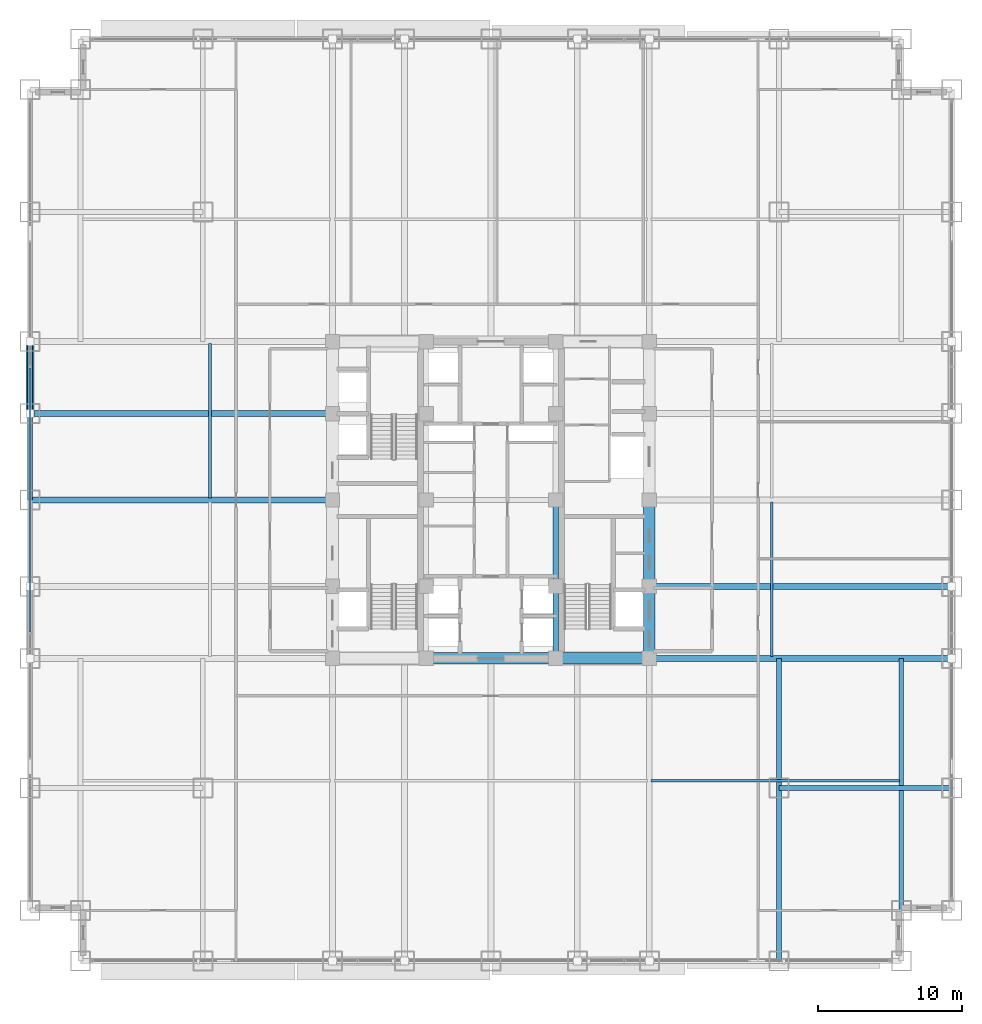
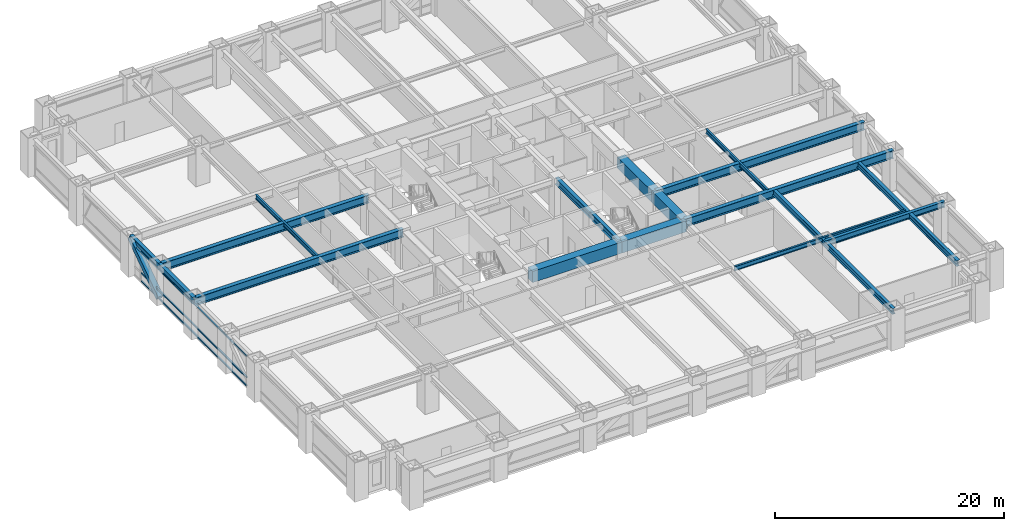
# One storey, part 11 of 31: 18 beams, 4 members, 1 element without a shape of its own.
"""IFC4 building model written with IfcOpenShell, lengths in metres."""

from ifc_helpers import new_model, si_unit, direction, frame, origin, origin_2d, place, context, subcontext, project, spatial, rectangle, hollow_rectangle, i_section, extrude, source, transform, mapped, material, material_profile, profile_set, type_object, element, aggregate, save


model = new_model("IFC4")

# Units and contexts
model_context = context("Model", 3, precision=1e-05, world=origin(), true_north=direction((0.0, 1.0)))
body_context = subcontext(model_context, "Body", "Model", "MODEL_VIEW")
ifc_project = project(units=[si_unit("LENGTHUNIT", "METRE"), si_unit("AREAUNIT", "SQUARE_METRE"), si_unit("VOLUMEUNIT", "CUBIC_METRE"), si_unit("PLANEANGLEUNIT", "RADIAN"), si_unit("MASSUNIT", "GRAM", prefix="KILO")], contexts=[model_context])

# Site, building, storey
site_placement = place(None, origin())
site = spatial("IfcSite", under=ifc_project, at=site_placement, CompositionType="ELEMENT")
building_placement = place(site_placement, origin())
building = spatial("IfcBuilding", under=site, at=building_placement, Name="Khorayat Bourse Tower", CompositionType="ELEMENT")
storey_placement = place(building_placement, frame((0.0, 0.0, 36.800048828125)))
storey = spatial("IfcBuildingStorey", under=building, at=storey_placement, Name="L07", CompositionType="ELEMENT", Elevation=36.800048828125)

# Beams
ifc_material_1 = material(Name="Concrete C72/90", Category="concrete")
ifc_material_profile_1 = material_profile(ifc_material_1, rectangle(XDim=0.800048828125, YDim=1.199951171875, at=origin_2d()), Name="RC 800x1200")
ifc_profile_set_1 = profile_set([ifc_material_profile_1], Name="Concrete C72/90")
beam_type_1 = type_object("IfcBeamType", Name="BM-COUP-1200", PredefinedType="BEAM", material=ifc_profile_set_1)
shared_shape_1 = source(origin(), body_context, "Body", "SweptSolid", [
    extrude(rectangle(XDim=0.800048828125, YDim=1.199951171875, at=origin_2d()), origin(), (0.0, 0.0, 1.0), 5.0),
])
beam_1_placement = place(storey_placement, frame((11.0, -11.0, 3.33984375), z_axis=(0.0, 1.0, 0.0), x_axis=(-1.0, 0.0, 0.0)))
element("IfcBeam", 1, at=beam_1_placement, inside=storey, type_object=beam_type_1, Name="L07 BM-COUP-1200 BM-L07-CRX-13", PredefinedType="BEAM", context=body_context, shape_type="MappedRepresentation", body=[
    mapped(shared_shape_1, transform((0.0, 0.0, 0.0), scale=1.0)),
])
shared_shape_2 = source(origin(), body_context, "Body", "SweptSolid", [
    extrude(rectangle(XDim=0.800048828125, YDim=1.199951171875, at=origin_2d()), origin(), (0.0, 0.0, 1.0), 6.0),
])
beam_2_placement = place(storey_placement, frame((11.0, -6.0, 3.33984375), z_axis=(0.0, 1.0, 0.0), x_axis=(-1.0, 0.0, 0.0)))
element("IfcBeam", 2, at=beam_2_placement, inside=storey, type_object=beam_type_1, Name="L07 BM-COUP-1200 BM-L07-CRX-14", PredefinedType="BEAM", context=body_context, shape_type="MappedRepresentation", body=[
    mapped(shared_shape_2, transform((0.0, 0.0, 0.0), scale=1.0)),
])
ifc_material_2 = material(Name="Steel ASTM A992 Grade 50", Category="steel")
ifc_material_profile_2 = material_profile(ifc_material_2, i_section(OverallWidth=0.35498046875, OverallDepth=0.695068359375, WebThickness=0.015380859375, FlangeThickness=0.02490234375, FilletRadius=0.01806640625, at=origin_2d()), Name="W690X217")
ifc_profile_set_2 = profile_set([ifc_material_profile_2], Name="Steel ASTM A992 Grade 50")
beam_type_2 = type_object("IfcBeamType", Name="BM-GIRD-690", PredefinedType="BEAM", material=ifc_profile_set_2)
shared_shape_3 = source(origin(), body_context, "Body", "SweptSolid", [
    extrude(i_section(OverallWidth=0.35498046875, OverallDepth=0.695068359375, WebThickness=0.015380859375, FlangeThickness=0.02490234375, FilletRadius=0.01806640625, at=origin_2d()), origin(), (0.0, 0.0, 1.0), 5.0),
])
beam_3_placement = place(storey_placement, frame((4.5, -11.0, 3.592529296875), z_axis=(0.0, 1.0, 0.0), x_axis=(-1.0, 0.0, 0.0)))
element("IfcBeam", 3, at=beam_3_placement, inside=storey, type_object=beam_type_2, Name="L07 BM-GIRD-690 BM-L07-CRX-09", PredefinedType="BEAM", context=body_context, shape_type="MappedRepresentation", body=[
    mapped(shared_shape_3, transform((0.0, 0.0, 0.0), scale=1.0)),
])
shared_shape_4 = source(origin(), body_context, "Body", "SweptSolid", [
    extrude(i_section(OverallWidth=0.35498046875, OverallDepth=0.695068359375, WebThickness=0.015380859375, FlangeThickness=0.02490234375, FilletRadius=0.01806640625, at=origin_2d()), origin(), (0.0, 0.0, 1.0), 6.0),
])
beam_4_placement = place(storey_placement, frame((4.5, -6.0, 3.592529296875), z_axis=(0.0, 1.0, 0.0), x_axis=(-1.0, 0.0, 0.0)))
element("IfcBeam", 4, at=beam_4_placement, inside=storey, type_object=beam_type_2, Name="L07 BM-GIRD-690 BM-L07-CRX-10", PredefinedType="BEAM", context=body_context, shape_type="MappedRepresentation", body=[
    mapped(shared_shape_4, transform((0.0, 0.0, 0.0), scale=1.0)),
])
shared_shape_5 = source(origin(), body_context, "Body", "SweptSolid", [
    extrude(rectangle(XDim=0.800048828125, YDim=1.199951171875, at=origin_2d()), origin(), (0.0, 0.0, 1.0), 6.5),
])
beam_5_placement = place(storey_placement, frame((4.5, -11.0, 3.33984375), z_axis=(1.0, 0.0, 0.0), x_axis=(0.0, 1.0, 0.0)))
element("IfcBeam", 5, at=beam_5_placement, inside=storey, type_object=beam_type_1, Name="L07 BM-COUP-1200 BM-L07-CRY-19", PredefinedType="BEAM", context=body_context, shape_type="MappedRepresentation", body=[
    mapped(shared_shape_5, transform((0.0, 0.0, 0.0), scale=1.0)),
])
shared_shape_6 = source(origin(), body_context, "Body", "SweptSolid", [
    extrude(rectangle(XDim=0.800048828125, YDim=1.199951171875, at=origin_2d()), origin(), (0.0, 0.0, 1.0), 9.0),
])
beam_6_placement = place(storey_placement, frame((-4.5, -11.0, 3.33984375), z_axis=(1.0, 0.0, 0.0), x_axis=(0.0, 1.0, 0.0)))
element("IfcBeam", 6, at=beam_6_placement, inside=storey, type_object=beam_type_1, Name="L07 BM-COUP-1200 BM-L07-CRY-18", PredefinedType="BEAM", context=body_context, shape_type="MappedRepresentation", body=[
    mapped(shared_shape_6, transform((0.0, 0.0, 0.0), scale=1.0)),
])
ifc_material_profile_3 = material_profile(ifc_material_2, i_section(OverallWidth=0.35498046875, OverallDepth=0.695068359375, WebThickness=0.015380859375, FlangeThickness=0.02490234375, FilletRadius=0.01806640625, at=origin_2d()), Name="W690X217")
ifc_profile_set_3 = profile_set([ifc_material_profile_3], Name="Steel ASTM A992 Grade 50")
beam_type_3 = type_object("IfcBeamType", Name="BM-SPAN-690", PredefinedType="SPANDREL", material=ifc_profile_set_3)
shared_shape_7 = source(origin(), body_context, "Body", "SweptSolid", [
    extrude(i_section(OverallWidth=0.35498046875, OverallDepth=0.695068359375, WebThickness=0.015380859375, FlangeThickness=0.02490234375, FilletRadius=0.01806640625, at=origin_2d()), origin(), (0.0, 0.0, 1.0), 5.0),
])
beam_7_placement = place(storey_placement, frame((-32.0, 6.0, 3.592529296875), z_axis=(0.0, 1.0, 0.0), x_axis=(-1.0, 0.0, 0.0)))
element("IfcBeam", 7, at=beam_7_placement, inside=storey, type_object=beam_type_3, Name="L07 BM-SPAN-690 BM-L07-SPN-056", PredefinedType="SPANDREL", context=body_context, shape_type="MappedRepresentation", body=[
    mapped(shared_shape_7, transform((0.0, 0.0, 0.0), scale=1.0)),
])
shared_shape_8 = source(origin(), body_context, "Body", "SweptSolid", [
    extrude(i_section(OverallWidth=0.35498046875, OverallDepth=0.695068359375, WebThickness=0.015380859375, FlangeThickness=0.02490234375, FilletRadius=0.01806640625, at=origin_2d()), origin(), (0.0, 0.0, 1.0), 6.0),
])
beam_8_placement = place(storey_placement, frame((-32.0, 0.0, 3.592529296875), z_axis=(0.0, 1.0, 0.0), x_axis=(-1.0, 0.0, 0.0)))
element("IfcBeam", 8, at=beam_8_placement, inside=storey, type_object=beam_type_3, Name="L07 BM-SPAN-690 BM-L07-SPN-057", PredefinedType="SPANDREL", context=body_context, shape_type="MappedRepresentation", body=[
    mapped(shared_shape_8, transform((0.0, 0.0, 0.0), scale=1.0)),
])
ifc_material_profile_4 = material_profile(ifc_material_2, i_section(OverallWidth=0.39990234375, OverallDepth=0.85498046875, WebThickness=0.018310546875, FlangeThickness=0.029296875, FilletRadius=0.02001953125, at=origin_2d()), Name="W840X299")
ifc_profile_set_4 = profile_set([ifc_material_profile_4], Name="Steel ASTM A992 Grade 50")
beam_type_4 = type_object("IfcBeamType", Name="BM-GIRD-840", PredefinedType="BEAM", material=ifc_profile_set_4)
shared_shape_9 = source(origin(), body_context, "Body", "SweptSolid", [
    extrude(i_section(OverallWidth=0.39990234375, OverallDepth=0.85498046875, WebThickness=0.018310546875, FlangeThickness=0.029296875, FilletRadius=0.02001953125, at=origin_2d()), origin(), (0.0, 0.0, 1.0), 21.0),
])
for number, where, z_axis, x_axis, name in (
    (9, (11.0, -11.0, 3.512451171875), (1.0, 0.0, 0.0), (0.0, 1.0, 0.0), "L07 BM-GIRD-840 BM-L07-RADX-074"),
    (10, (11.0, -6.0, 3.512451171875), (1.0, 0.0, 0.0), (0.0, 1.0, 0.0), "L07 BM-GIRD-840 BM-L07-RADX-076"),
    (11, (-32.0, 0.0, 3.512451171875), (1.0, 0.0, 0.0), (0.0, 1.0, 0.0), "L07 BM-GIRD-840 BM-L07-RADX-079"),
    (12, (-32.0, 6.0, 3.512451171875), (1.0, 0.0, 0.0), (0.0, 1.0, 0.0), "L07 BM-GIRD-840 BM-L07-RADX-081"),
):
    element("IfcBeam", number, at=place(storey_placement, frame(where, z_axis=z_axis, x_axis=x_axis)), inside=storey, type_object=beam_type_4, Name=name, PredefinedType="BEAM", context=body_context, shape_type="MappedRepresentation", body=[
        mapped(shared_shape_9, transform((0.0, 0.0, 0.0), scale=1.0)),
    ])
ifc_material_profile_5 = material_profile(ifc_material_2, i_section(OverallWidth=0.324951171875, OverallDepth=0.615966796875, WebThickness=0.013916015625, FlangeThickness=0.021484375, FilletRadius=0.01611328125, at=origin_2d()), Name="W610X174")
ifc_profile_set_5 = profile_set([ifc_material_profile_5], Name="Steel ASTM A992 Grade 50")
beam_type_5 = type_object("IfcBeamType", Name="BM-GIRD-610", PredefinedType="BEAM", material=ifc_profile_set_5)
shared_shape_10 = source(origin(), body_context, "Body", "SweptSolid", [
    extrude(i_section(OverallWidth=0.324951171875, OverallDepth=0.615966796875, WebThickness=0.013916015625, FlangeThickness=0.021484375, FilletRadius=0.01611328125, at=origin_2d()), origin(), (0.0, 0.0, 1.0), 21.0),
])
beam_9_placement = place(storey_placement, frame((20.0, -32.0, 3.6318359375), z_axis=(0.0, 1.0, 0.0), x_axis=(-1.0, 0.0, 0.0)))
element("IfcBeam", 13, at=beam_9_placement, inside=storey, type_object=beam_type_5, Name="L07 BM-GIRD-610 BM-L07-CNRY-086", PredefinedType="BEAM", context=body_context, shape_type="MappedRepresentation", body=[
    mapped(shared_shape_10, transform((0.0, 0.0, 0.0), scale=1.0)),
])
shared_shape_11 = source(origin(), body_context, "Body", "SweptSolid", [
    extrude(i_section(OverallWidth=0.324951171875, OverallDepth=0.615966796875, WebThickness=0.013916015625, FlangeThickness=0.021484375, FilletRadius=0.01611328125, at=origin_2d()), origin(), (0.0, 0.0, 1.0), 17.5),
])
beam_10_placement = place(storey_placement, frame((28.5, -28.5, 3.6318359375), z_axis=(0.0, 1.0, 0.0), x_axis=(-1.0, 0.0, 0.0)))
element("IfcBeam", 14, at=beam_10_placement, inside=storey, type_object=beam_type_5, Name="L07 BM-GIRD-610 BM-L07-CNRY-090", PredefinedType="BEAM", context=body_context, shape_type="MappedRepresentation", body=[
    mapped(shared_shape_11, transform((0.0, 0.0, 0.0), scale=1.0)),
])
shared_shape_12 = source(origin(), body_context, "Body", "SweptSolid", [
    extrude(i_section(OverallWidth=0.324951171875, OverallDepth=0.615966796875, WebThickness=0.013916015625, FlangeThickness=0.021484375, FilletRadius=0.01611328125, at=origin_2d()), origin(), (0.0, 0.0, 1.0), 12.0),
])
beam_11_placement = place(storey_placement, frame((20.0, -20.0, 3.6318359375), z_axis=(1.0, 0.0, 0.0), x_axis=(0.0, 1.0, 0.0)))
element("IfcBeam", 15, at=beam_11_placement, inside=storey, type_object=beam_type_5, Name="L07 BM-GIRD-610 BM-L07-CNRX-092", PredefinedType="BEAM", context=body_context, shape_type="MappedRepresentation", body=[
    mapped(shared_shape_12, transform((0.0, 0.0, 0.0), scale=1.0)),
])
ifc_material_profile_6 = material_profile(ifc_material_2, i_section(OverallWidth=0.194091796875, OverallDepth=0.468994140625, WebThickness=0.0126953125, FlangeThickness=0.0205078125, FilletRadius=0.012939453125, at=origin_2d()), Name="W460X106")
ifc_profile_set_6 = profile_set([ifc_material_profile_6], Name="Steel ASTM A992 Grade 50")
beam_type_6 = type_object("IfcBeamType", Name="BM-JOIST-460", PredefinedType="JOIST", material=ifc_profile_set_6)
shared_shape_13 = source(origin(), body_context, "Body", "SweptSolid", [
    extrude(i_section(OverallWidth=0.194091796875, OverallDepth=0.468994140625, WebThickness=0.0126953125, FlangeThickness=0.0205078125, FilletRadius=0.012939453125, at=origin_2d()), origin(), (0.0, 0.0, 1.0), 17.240234375),
])
beam_12_placement = place(storey_placement, frame((11.1298828125, -19.5, 3.70556640625), z_axis=(1.0, 0.0, 0.0), x_axis=(0.0, 1.0, 0.0)))
element("IfcBeam", 16, at=beam_12_placement, inside=storey, type_object=beam_type_6, Name="L07 BM-JOIST-460 BM-L07-JSTX-098", PredefinedType="JOIST", context=body_context, shape_type="MappedRepresentation", body=[
    mapped(shared_shape_13, transform((0.0, 0.0, 0.0), scale=1.0)),
])
shared_shape_14 = source(origin(), body_context, "Body", "SweptSolid", [
    extrude(i_section(OverallWidth=0.194091796875, OverallDepth=0.468994140625, WebThickness=0.0126953125, FlangeThickness=0.0205078125, FilletRadius=0.012939453125, at=origin_2d()), origin(), (0.0, 0.0, 1.0), 10.740234375),
])
for number, where, z_axis, x_axis, name in (
    (17, (-19.5, 0.1298828125, 3.70556640625), (0.0, 1.0, 0.0), (-1.0, 0.0, 0.0), "L07 BM-JOIST-460 BM-L07-JSTY-103"),
    (18, (19.5, -10.8701171875, 3.70556640625), (0.0, 1.0, 0.0), (-1.0, 0.0, 0.0), "L07 BM-JOIST-460 BM-L07-JSTY-104"),
):
    element("IfcBeam", number, at=place(storey_placement, frame(where, z_axis=z_axis, x_axis=x_axis)), inside=storey, type_object=beam_type_6, Name=name, PredefinedType="JOIST", context=body_context, shape_type="MappedRepresentation", body=[
        mapped(shared_shape_14, transform((0.0, 0.0, 0.0), scale=1.0)),
    ])

# Member
ifc_material_3 = material(Name="Steel EN 10025-4 S460M", Category="steel")
ifc_material_profile_7 = material_profile(ifc_material_3, hollow_rectangle(XDim=0.550048828125, YDim=0.550048828125, WallThickness=0.031982421875, at=origin_2d()), Name="HSS 550x550x32")
ifc_profile_set_7 = profile_set([ifc_material_profile_7], Name="Steel EN 10025-4 S460M")
member_type_1 = type_object("IfcMemberType", Name="MBR-TUBE-550", PredefinedType="BRACE", material=ifc_profile_set_7)
shared_shape_15 = source(origin(), body_context, "Body", "SweptSolid", [
    extrude(hollow_rectangle(XDim=0.550048828125, YDim=0.550048828125, WallThickness=0.031982421875, at=origin_2d()), origin(), (0.0, 0.0, 1.0), 6.069091796875),
])
member_1_placement = place(storey_placement, frame((-32.0, 6.0, 0.25), z_axis=(0.0, 0.823854080622, 0.566801952928), x_axis=(-1.0, 0.0, 0.0)))
element("IfcMember", 19, at=member_1_placement, inside=storey, type_object=member_type_1, Name="L07 Perimeter Tube Brace 06", PredefinedType="BRACE", context=body_context, shape_type="MappedRepresentation", body=[
    mapped(shared_shape_15, transform((0.0, 0.0, 0.0), scale=1.0)),
])

# Curtain wall, members
ifc_material_4 = material(Name="Aluminium EN AW-6063 T6", Category="aluminium")
curtain_wall_type = type_object("IfcCurtainWallType", Name="CW-SYS-02", PredefinedType="NOTDEFINED", material=ifc_material_4)
curtain_wall_placement = place(storey_placement, origin())
curtain_wall = element("IfcCurtainWall", 20, at=curtain_wall_placement, inside=storey, type_object=curtain_wall_type, Name="L07 Curtain Wall CW-L07-W1", PredefinedType="NOTDEFINED")
ifc_material_profile_8 = material_profile(ifc_material_4, hollow_rectangle(XDim=0.139892578125, YDim=0.139892578125, WallThickness=0.006103515625, at=origin_2d()), Name="ALU 140x140x6")
ifc_profile_set_8 = profile_set([ifc_material_profile_8], Name="Aluminium EN AW-6063 T6")
member_type_2 = type_object("IfcMemberType", Name="CWT-HORZ-140", PredefinedType="USERDEFINED", material=ifc_profile_set_8)
shared_shape_16 = source(origin(), body_context, "Body", "SweptSolid", [
    extrude(hollow_rectangle(XDim=0.139892578125, YDim=0.139892578125, WallThickness=0.006103515625, at=origin_2d()), origin(), (0.0, 0.0, 1.0), 18.35986328125),
])
member_2_placement = place(storey_placement, frame((-32.0, -9.179931640625, 0.070068359375), z_axis=(0.0, 1.0, 0.0), x_axis=(-1.0, 0.0, 0.0)))
member_2 = element("IfcMember", 21, at=member_2_placement, type_object=member_type_2, Name="CW-L07-W1 Horizontal Transom 2-1", ObjectType="TRANSOM", PredefinedType="USERDEFINED", context=body_context, shape_type="MappedRepresentation", body=[
    mapped(shared_shape_16, transform((0.0, 0.0, 0.0), scale=1.0)),
])
member_3_placement = place(storey_placement, frame((-32.0, -9.179931640625, 0.949951171875), z_axis=(0.0, 1.0, 0.0), x_axis=(-1.0, 0.0, 0.0)))
member_3 = element("IfcMember", 22, at=member_3_placement, type_object=member_type_2, Name="CW-L07-W1 Horizontal Transom 2-2", ObjectType="TRANSOM", PredefinedType="USERDEFINED", context=body_context, shape_type="MappedRepresentation", body=[
    mapped(shared_shape_16, transform((0.0, 0.0, 0.0), scale=1.0)),
])
member_4_placement = place(storey_placement, frame((-32.0, -9.179931640625, 3.219970703125), z_axis=(0.0, 1.0, 0.0), x_axis=(-1.0, 0.0, 0.0)))
member_4 = element("IfcMember", 23, at=member_4_placement, type_object=member_type_2, Name="CW-L07-W1 Horizontal Transom 2-3", ObjectType="TRANSOM", PredefinedType="USERDEFINED", context=body_context, shape_type="MappedRepresentation", body=[
    mapped(shared_shape_16, transform((0.0, 0.0, 0.0), scale=1.0)),
])
aggregate(curtain_wall, [member_2, member_3, member_4])

save(model, "model.ifc")
